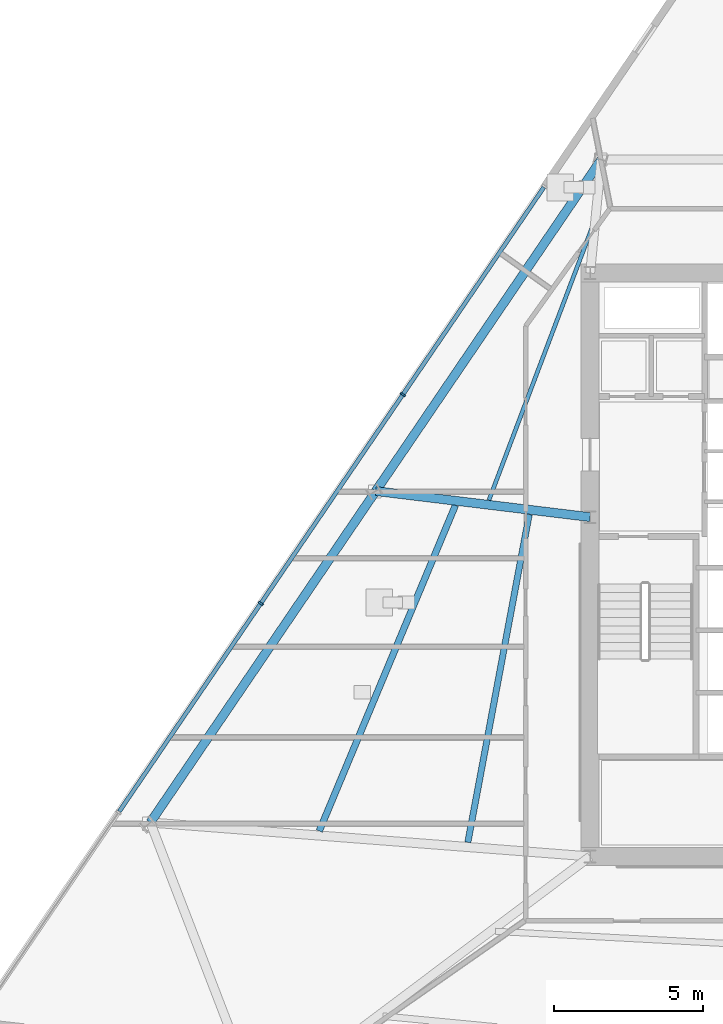
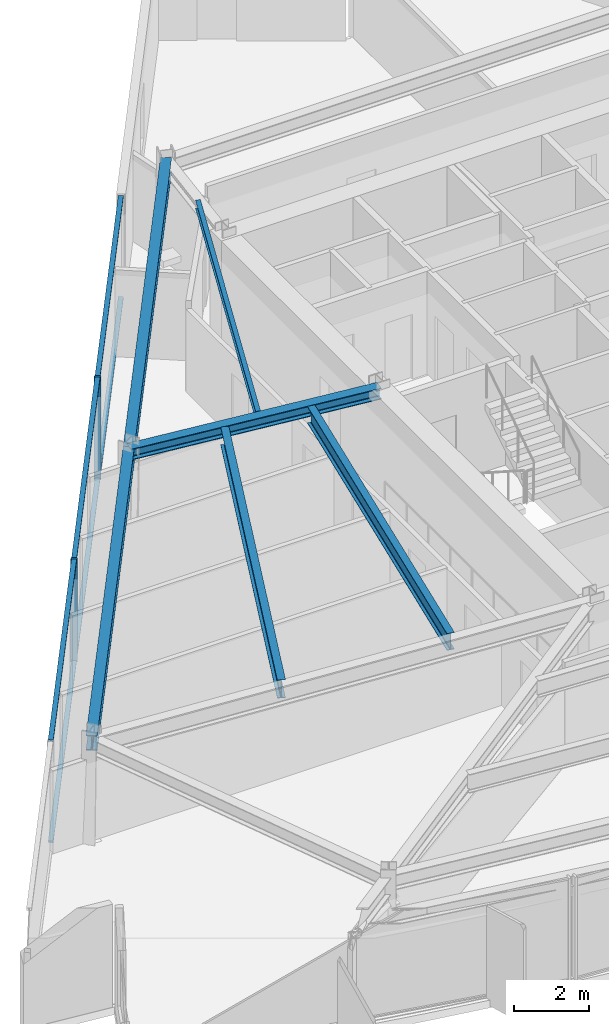
# One storey, part 3 of 15: 8 members, 6 beams, 1 element without a shape of its own.
"""IFC4 building model written with IfcOpenShell, lengths in metres."""

import ifcopenshell
import ifcopenshell.guid

model = None  # the IFC model being written
_history = None  # IfcOwnerHistory: only IFC2X3 demands one
_inside = {}  # id of a spatial element -> (the spatial element, [elements in it])
_under = {}  # id of a project, library or spatial element -> (it, [spatial elements below it])
_declared = {}  # id of a project -> (the project, [libraries it declares])
_typed = {}  # id of a type object -> (the type object, [elements of that type])
_made_of = {}  # id of a material, layer set ... -> (it, [elements and type objects made of it])


def new_model(schema):
    """Start an empty IFC model of exactly this schema.

    Asked for "IFC4X3", IfcOpenShell would pick the latest addendum, in which some entities
    have other attributes; the version numbers below select the first issue.
    IFC2X3 requires an IfcOwnerHistory on every rooted entity: one is made here for all.
    """
    global model, _history
    if schema == "IFC4X3":
        model = ifcopenshell.file(schema_version=(4, 3, 0, 0))
    else:
        model = ifcopenshell.file(schema=schema)
    _inside.clear()
    _under.clear()
    _declared.clear()
    _typed.clear()
    _made_of.clear()
    _history = None
    if model.schema == "IFC2X3":
        org = make("IfcOrganization", Name="unknown")
        user = make(
            "IfcPersonAndOrganization",
            ThePerson=make("IfcPerson", FamilyName="unknown"),
            TheOrganization=org,
        )
        app = make(
            "IfcApplication",
            ApplicationDeveloper=org,
            Version="unknown",
            ApplicationFullName="unknown",
            ApplicationIdentifier="unknown",
        )
        _history = make(
            "IfcOwnerHistory",
            OwningUser=user,
            OwningApplication=app,
            ChangeAction="ADDED",
            CreationDate=0,
        )
    return model


def make(cls, **values):
    """One entity of the class cls with the attributes given. An attribute that is None is left unset."""
    return model.create_entity(
        cls, **{name: value for name, value in values.items() if value is not None}
    )


def rooted(cls, **values):
    """An entity with a GlobalId (a new one), such as an element, a storey or a relation."""
    return make(cls, GlobalId=ifcopenshell.guid.new(), OwnerHistory=_history, **values)


def si_unit(unit_type, name, prefix=None):
    """IfcSIUnit, for example si_unit("LENGTHUNIT", "METRE", prefix="MILLI")."""
    return make("IfcSIUnit", UnitType=unit_type, Prefix=prefix, Name=name)


def assignment(units):
    """IfcUnitAssignment: the units of a project."""
    return None if units is None else make("IfcUnitAssignment", Units=units)


def point(xyz):
    """IfcCartesianPoint."""
    return None if xyz is None else make("IfcCartesianPoint", Coordinates=xyz)


def direction(xyz):
    """IfcDirection."""
    return None if xyz is None else make("IfcDirection", DirectionRatios=xyz)


def frame(location, z_axis=None, x_axis=None):
    """IfcAxis2Placement3D, a coordinate frame: its origin and axes. An axis left out is left unset."""
    return make(
        "IfcAxis2Placement3D",
        Location=point(location),
        Axis=direction(z_axis),
        RefDirection=direction(x_axis),
    )


def frame_2d(location, x_axis=None):
    """IfcAxis2Placement2D, a coordinate frame in the plane: its origin and x axis."""
    return make(
        "IfcAxis2Placement2D", Location=point(location), RefDirection=direction(x_axis)
    )


def origin():
    """The frame at (0, 0, 0) with its axes left unset."""
    return frame((0.0, 0.0, 0.0))


def origin_2d():
    """The frame at (0, 0) in the plane with its x axis left unset."""
    return frame_2d((0.0, 0.0))


def place(relative_to, where):
    """IfcLocalPlacement: puts the frame where relative to a parent placement (None: the world)."""
    return make(
        "IfcLocalPlacement", PlacementRelTo=relative_to, RelativePlacement=where
    )


def context(
    kind, dimensions, precision=None, world=None, true_north=None, identifier=None
):
    """IfcGeometricRepresentationContext, for example the 3D "Model" context."""
    return make(
        "IfcGeometricRepresentationContext",
        ContextIdentifier=identifier,
        ContextType=kind,
        CoordinateSpaceDimension=dimensions,
        Precision=precision,
        WorldCoordinateSystem=world,
        TrueNorth=true_north,
    )


def subcontext(parent, identifier, kind, view, scale=None):
    """IfcGeometricRepresentationSubContext, for example "Body" below "Model"."""
    return make(
        "IfcGeometricRepresentationSubContext",
        ContextIdentifier=identifier,
        ContextType=kind,
        ParentContext=parent,
        TargetScale=scale,
        TargetView=view,
    )


def project(units=None, contexts=None):
    """IfcProject with its units and contexts."""
    return rooted(
        "IfcProject",
        Name="project",
        RepresentationContexts=contexts,
        UnitsInContext=assignment(units),
    )


def spatial(cls, under=None, at=None, **own):
    """A site, building, storey or space (cls), placed at a placement, below another one or the project."""
    s = rooted(cls, ObjectPlacement=at, **own)
    if under is not None:
        _under.setdefault(under.id(), (under, []))[1].append(s)
    return s


def profile(cls, at=None, kind="AREA", **sizes):
    """A parametric profile (cls). Its sizes go by their IFC names, for example OverallWidth=200.0."""
    return make(cls, ProfileType=kind, Position=at, **sizes)


def rectangle(**sizes):
    """IfcRectangleProfileDef."""
    return profile("IfcRectangleProfileDef", **sizes)


def i_section(**sizes):
    """IfcIShapeProfileDef."""
    return profile("IfcIShapeProfileDef", **sizes)


def extrude(swept, where, along, depth):
    """IfcExtrudedAreaSolid: the profile swept, set in the frame where, extruded along a direction by depth."""
    return make(
        "IfcExtrudedAreaSolid",
        SweptArea=swept,
        Position=where,
        ExtrudedDirection=direction(along),
        Depth=depth,
    )


def shape(context_of_items, identifier, shape_type, items):
    """IfcShapeRepresentation: the items that make up one representation, for example the "Body"."""
    return make(
        "IfcShapeRepresentation",
        ContextOfItems=context_of_items,
        RepresentationIdentifier=identifier,
        RepresentationType=shape_type,
        Items=items,
    )


def material(Name=None, Category=None):
    """IfcMaterial."""
    return make("IfcMaterial", Name=Name, Category=Category)


def material_profile(
    of_material, cross_section, Name=None, Category=None, Priority=None
):
    """IfcMaterialProfile: a cross section and its material."""
    return make(
        "IfcMaterialProfile",
        Name=Name,
        Material=of_material,
        Profile=cross_section,
        Priority=Priority,
        Category=Category,
    )


def profile_set(profiles, Name=None, composite=None):
    """IfcMaterialProfileSet."""
    return make(
        "IfcMaterialProfileSet",
        Name=Name,
        MaterialProfiles=profiles,
        CompositeProfile=composite,
    )


def made_of(thing, what):
    """Note that an element or type object is made of a material, layer set ...; save() writes the relation."""
    if what is not None:
        _made_of.setdefault(what.id(), (what, []))[1].append(thing)
    return thing


def type_object(cls, material=None, **own):
    """A type object (cls), such as IfcWallType, which elements share."""
    return made_of(rooted(cls, **own), material)


def element(
    cls,
    number,
    at=None,
    inside=None,
    cuts=None,
    type_object=None,
    material=None,
    context=None,
    identifier="Body",
    shape_type=None,
    held_by="IfcProductDefinitionShape",
    body=None,
    shapes=None,
    **own,
):
    """One element of the class cls, such as IfcWall. Its Tag is "e" and its number.

    at: its placement. inside: the storey or other place that contains it. cuts: it is an
    opening in that element (IfcRelVoidsElement). A single representation is given by context,
    identifier, shape_type and body (its items); several are given by shapes. held_by: the class
    of the entity that holds the representations. save() writes the other relations.
    """
    e = rooted(cls, Tag="e%d" % number, ObjectPlacement=at, **own)
    if body is not None:
        shapes = [shape(context, identifier, shape_type, body)]
    if shapes is not None:
        e.Representation = make(held_by, Representations=shapes)
    if inside is not None:
        _inside.setdefault(inside.id(), (inside, []))[1].append(e)
    if cuts is not None:
        rooted(
            "IfcRelVoidsElement", RelatingBuildingElement=cuts, RelatedOpeningElement=e
        )
    if type_object is not None:
        _typed.setdefault(type_object.id(), (type_object, []))[1].append(e)
    return made_of(e, material)


def aggregate(whole, parts):
    """IfcRelAggregates: a whole, such as a stair, and the parts it consists of."""
    return rooted("IfcRelAggregates", RelatingObject=whole, RelatedObjects=parts)


def save(model, path):
    """Write the relations noted so far, then the file.

    IfcRelAggregates (storeys below a building ...), IfcRelContainedInSpatialStructure (elements
    in a storey), IfcRelDefinesByType, IfcRelAssociatesMaterial and IfcRelDeclares: one each for
    every whole, place, type object, material and project.
    """
    for whole, parts in _under.values():
        aggregate(whole, parts)
    for where, things in _inside.values():
        rooted(
            "IfcRelContainedInSpatialStructure",
            RelatedElements=things,
            RelatingStructure=where,
        )
    for kind, things in _typed.values():
        rooted("IfcRelDefinesByType", RelatedObjects=things, RelatingType=kind)
    for what, things in _made_of.values():
        rooted("IfcRelAssociatesMaterial", RelatedObjects=things, RelatingMaterial=what)
    for by, libraries in _declared.values():
        rooted("IfcRelDeclares", RelatingContext=by, RelatedDefinitions=libraries)
    model.write(path)


model = new_model("IFC4")

# Units and contexts
model_context = context("Model", 3, precision=1e-05, world=origin(), true_north=direction((0.0, 1.0)))
body_context = subcontext(model_context, "Body", "Model", "MODEL_VIEW")
ifc_project = project(units=[si_unit("LENGTHUNIT", "METRE"), si_unit("AREAUNIT", "SQUARE_METRE"), si_unit("VOLUMEUNIT", "CUBIC_METRE"), si_unit("PLANEANGLEUNIT", "RADIAN"), si_unit("MASSUNIT", "GRAM", prefix="KILO")], contexts=[model_context])

# Site, building, storey
site_placement = place(None, origin())
site = spatial("IfcSite", under=ifc_project, at=site_placement, CompositionType="ELEMENT")
building_placement = place(site_placement, origin())
building = spatial("IfcBuilding", under=site, at=building_placement, Name="Savorim Split Tower", CompositionType="ELEMENT")
storey_placement = place(building_placement, frame((0.0, 0.0, 100.5)))
storey = spatial("IfcBuildingStorey", under=building, at=storey_placement, Name="L26", CompositionType="ELEMENT", Elevation=100.5)

# Beams
ifc_material_1 = material(Name="Steel S355", Category="steel")
ifc_material_profile_1 = material_profile(ifc_material_1, i_section(OverallWidth=0.135009765625, OverallDepth=0.27001953125, WebThickness=0.006591796875, FlangeThickness=0.01025390625, FilletRadius=0.014892578125, at=origin_2d()), Name="IPE 270")
ifc_profile_set_1 = profile_set([ifc_material_profile_1], Name="Steel S355")
beam_type_1 = type_object("IfcBeamType", Name="BM-JST-IPE270", PredefinedType="JOIST", material=ifc_profile_set_1)
beam_1_placement = place(storey_placement, frame((-7.57763671875, 11.87890625, 3.215087890625), z_axis=(-0.353914713238, -0.935277699805, 0.0), x_axis=(0.935277699805, -0.353914713238, 0.0)))
element("IfcBeam", 1, at=beam_1_placement, inside=storey, type_object=beam_type_1, Name="L26 Secondary Floor Joist JS-09", PredefinedType="JOIST", context=body_context, shape_type="SweptSolid", body=[
    extrude(i_section(OverallWidth=0.135009765625, OverallDepth=0.27001953125, WebThickness=0.006591796875, FlangeThickness=0.01025390625, FilletRadius=0.014892578125, at=origin_2d()), origin(), (0.0, 0.0, 1.0), 9.95361328125),
])
ifc_material_profile_2 = material_profile(ifc_material_1, i_section(OverallWidth=0.2099609375, OverallDepth=0.550048828125, WebThickness=0.010986328125, FlangeThickness=0.01708984375, FilletRadius=0.02392578125, at=origin_2d()), Name="IPE 550")
ifc_profile_set_2 = profile_set([ifc_material_profile_2], Name="Steel S355")
beam_type_2 = type_object("IfcBeamType", Name="BM-JST-IPE550", PredefinedType="JOIST", material=ifc_profile_set_2)
beam_2_placement = place(storey_placement, frame((-9.74609375, 2.087646484375, 3.074951171875), z_axis=(-0.184043787305, -0.982918045594, 0.0), x_axis=(0.982918045594, -0.184043787305, 0.0)))
element("IfcBeam", 2, at=beam_2_placement, inside=storey, type_object=beam_type_2, Name="L26 Secondary Floor Joist JS-11", PredefinedType="JOIST", context=body_context, shape_type="SweptSolid", body=[
    extrude(i_section(OverallWidth=0.2099609375, OverallDepth=0.550048828125, WebThickness=0.010986328125, FlangeThickness=0.01708984375, FilletRadius=0.02392578125, at=origin_2d()), origin(), (0.0, 0.0, 1.0), 11.20263671875),
])
ifc_material_profile_3 = material_profile(ifc_material_1, i_section(OverallWidth=0.219970703125, OverallDepth=0.60009765625, WebThickness=0.011962890625, FlangeThickness=0.01904296875, FilletRadius=0.02392578125, at=origin_2d()), Name="IPE 600")
ifc_profile_set_3 = profile_set([ifc_material_profile_3], Name="Steel S355")
beam_type_3 = type_object("IfcBeamType", Name="BM-JST-IPE600", PredefinedType="JOIST", material=ifc_profile_set_3)
beam_3_placement = place(storey_placement, frame((-12.226806640625, 2.394775390625, 3.050048828125), z_axis=(-0.385656051372, -0.922642623143, 0.0), x_axis=(0.922642623143, -0.385656051372, 0.0)))
element("IfcBeam", 3, at=beam_3_placement, inside=storey, type_object=beam_type_3, Name="L26 Secondary Floor Joist JS-10", PredefinedType="JOIST", context=body_context, shape_type="SweptSolid", body=[
    extrude(i_section(OverallWidth=0.219970703125, OverallDepth=0.60009765625, WebThickness=0.011962890625, FlangeThickness=0.01904296875, FilletRadius=0.02392578125, at=origin_2d()), origin(), (0.0, 0.0, 1.0), 11.857666015625),
])
ifc_material_profile_4 = material_profile(ifc_material_1, i_section(OverallWidth=0.300048828125, OverallDepth=0.360107421875, WebThickness=0.012451171875, FlangeThickness=0.0224609375, FilletRadius=0.027099609375, at=origin_2d()), Name="HEB 360")
ifc_profile_set_4 = profile_set([ifc_material_profile_4], Name="Steel S355")
beam_type_4 = type_object("IfcBeamType", Name="BM-PRI-HEB360", PredefinedType="BEAM", material=ifc_profile_set_4)
beam_4_placement = place(storey_placement, frame((-14.90185546875, 2.874755859375, 3.169921875), z_axis=(0.992704150304, -0.120575577834, 0.0), x_axis=(0.120575577834, 0.992704150304, 0.0)))
element("IfcBeam", 4, at=beam_4_placement, inside=storey, type_object=beam_type_4, Name="L26 Primary Floor Girder RG-09", PredefinedType="BEAM", context=body_context, shape_type="SweptSolid", body=[
    extrude(i_section(OverallWidth=0.300048828125, OverallDepth=0.360107421875, WebThickness=0.012451171875, FlangeThickness=0.0224609375, FilletRadius=0.027099609375, at=origin_2d()), origin(), (0.0, 0.0, 1.0), 7.2548828125),
])
ifc_material_profile_5 = material_profile(ifc_material_1, i_section(OverallWidth=0.300048828125, OverallDepth=0.489990234375, WebThickness=0.011962890625, FlangeThickness=0.02294921875, FilletRadius=0.027099609375, at=origin_2d()), Name="HEA 500")
ifc_profile_set_5 = profile_set([ifc_material_profile_5], Name="Steel S355")
beam_type_5 = type_object("IfcBeamType", Name="BM-SPN-HEA500", PredefinedType="SPANDREL", material=ifc_profile_set_5)
for number, where, z_axis, x_axis, name in (
    (5, (-7.3271484375, 14.009521484375, 3.10498046875), (-0.562465713273, -0.826820610164, 0.0), (0.826820610164, -0.562465713273, 0.0), "L26 Perimeter Spandrel Beam 8"),
    (6, (-14.90185546875, 2.874755859375, 3.10498046875), (-0.562465713273, -0.826820610164, 0.0), (0.826820610164, -0.562465713273, 0.0), "L26 Perimeter Spandrel Beam 9"),
):
    element("IfcBeam", number, at=place(storey_placement, frame(where, z_axis=z_axis, x_axis=x_axis)), inside=storey, type_object=beam_type_5, Name=name, PredefinedType="SPANDREL", context=body_context, shape_type="SweptSolid", body=[
        extrude(i_section(OverallWidth=0.300048828125, OverallDepth=0.489990234375, WebThickness=0.011962890625, FlangeThickness=0.02294921875, FilletRadius=0.027099609375, at=origin_2d()), origin(), (0.0, 0.0, 1.0), 13.467041015625),
    ])

# Curtain wall, members
ifc_material_2 = material(Name="Dark Ceramic-Fritted Insulated Glass", Category="glass")
curtain_wall_type = type_object("IfcCurtainWallType", Name="CW-TWR-FRIT-A", PredefinedType="NOTDEFINED", material=ifc_material_2)
curtain_wall_placement = place(storey_placement, origin())
curtain_wall = element("IfcCurtainWall", 7, at=curtain_wall_placement, inside=storey, type_object=curtain_wall_type, Name="L26 Curtain Wall CW-L26-WEST", PredefinedType="NOTDEFINED")
ifc_material_3 = material(Name="Charcoal Anodised Aluminium", Category="aluminium")
ifc_material_profile_6 = material_profile(ifc_material_3, rectangle(XDim=0.179931640625, YDim=0.06494140625, at=origin_2d()), Name="ALU-M 180x65")
ifc_profile_set_6 = profile_set([ifc_material_profile_6], Name="Charcoal Anodised Aluminium")
member_type_1 = type_object("IfcMemberType", Name="CWM-180x65", PredefinedType="MULLION", material=ifc_profile_set_6)
member_1_placement = place(storey_placement, frame((-13.9912109375, 6.1181640625, 0.0), z_axis=(0.0, 0.0, 1.0), x_axis=(0.826819383915, -0.562467515846, 0.0)))
member_1 = element("IfcMember", 8, at=member_1_placement, type_object=member_type_1, Name="CW-02 mullion 2", PredefinedType="MULLION", context=body_context, shape_type="SweptSolid", body=[
    extrude(rectangle(XDim=0.179931640625, YDim=0.06494140625, at=origin_2d()), origin(), (0.0, 0.0, 1.0), 3.35009765625),
])
member_2_placement = place(storey_placement, frame((-18.76513671875, -0.899658203125, 0.0), z_axis=(0.0, 0.0, 1.0), x_axis=(0.826819383915, -0.562467515846, 0.0)))
member_2 = element("IfcMember", 9, at=member_2_placement, type_object=member_type_1, Name="CW-02 mullion 3", PredefinedType="MULLION", context=body_context, shape_type="SweptSolid", body=[
    extrude(rectangle(XDim=0.179931640625, YDim=0.06494140625, at=origin_2d()), origin(), (0.0, 0.0, 1.0), 3.35009765625),
])
ifc_material_profile_7 = material_profile(ifc_material_3, rectangle(XDim=0.139892578125, YDim=0.054931640625, at=origin_2d()), Name="ALU-T 140x55")
ifc_profile_set_7 = profile_set([ifc_material_profile_7], Name="Charcoal Anodised Aluminium")
member_type_2 = type_object("IfcMemberType", Name="CWT-140x55", PredefinedType="USERDEFINED", material=ifc_profile_set_7)
member_3_placement = place(storey_placement, frame((-9.253662109375, 13.082275390625, 0.027587890625), z_axis=(-0.562465211689, -0.826820951379, 0.0), x_axis=(0.826820951379, -0.562465211689, 0.0)))
member_3 = element("IfcMember", 10, at=member_3_placement, type_object=member_type_2, Name="CW-02 transom 1.1", ObjectType="TRANSOM", PredefinedType="USERDEFINED", context=body_context, shape_type="SweptSolid", body=[
    extrude(rectangle(XDim=0.139892578125, YDim=0.054931640625, at=origin_2d()), origin(), (0.0, 0.0, 1.0), 8.390380859375),
])
member_4_placement = place(storey_placement, frame((-9.253662109375, 13.082275390625, 3.322509765625), z_axis=(-0.562465211689, -0.826820951379, 0.0), x_axis=(0.826820951379, -0.562465211689, 0.0)))
member_4 = element("IfcMember", 11, at=member_4_placement, type_object=member_type_2, Name="CW-02 transom 1.2", ObjectType="TRANSOM", PredefinedType="USERDEFINED", context=body_context, shape_type="SweptSolid", body=[
    extrude(rectangle(XDim=0.139892578125, YDim=0.054931640625, at=origin_2d()), origin(), (0.0, 0.0, 1.0), 8.390380859375),
])
member_5_placement = place(storey_placement, frame((-14.009521484375, 6.09130859375, 0.027587890625), z_axis=(-0.562468576469, -0.826818662395, 0.0), x_axis=(0.826818662395, -0.562468576469, 0.0)))
member_5 = element("IfcMember", 12, at=member_5_placement, type_object=member_type_2, Name="CW-02 transom 2.1", ObjectType="TRANSOM", PredefinedType="USERDEFINED", context=body_context, shape_type="SweptSolid", body=[
    extrude(rectangle(XDim=0.139892578125, YDim=0.054931640625, at=origin_2d()), origin(), (0.0, 0.0, 1.0), 8.4228515625),
])
member_6_placement = place(storey_placement, frame((-14.009521484375, 6.09130859375, 3.322509765625), z_axis=(-0.562468576469, -0.826818662395, 0.0), x_axis=(0.826818662395, -0.562468576469, 0.0)))
member_6 = element("IfcMember", 13, at=member_6_placement, type_object=member_type_2, Name="CW-02 transom 2.2", ObjectType="TRANSOM", PredefinedType="USERDEFINED", context=body_context, shape_type="SweptSolid", body=[
    extrude(rectangle(XDim=0.139892578125, YDim=0.054931640625, at=origin_2d()), origin(), (0.0, 0.0, 1.0), 8.4228515625),
])
member_7_placement = place(storey_placement, frame((-18.783447265625, -0.926513671875, 0.027587890625), z_axis=(-0.562482056819, -0.826809491816, 0.0), x_axis=(0.826809491816, -0.562482056819, 0.0)))
member_7 = element("IfcMember", 14, at=member_7_placement, type_object=member_type_2, Name="CW-02 transom 3.1", ObjectType="TRANSOM", PredefinedType="USERDEFINED", context=body_context, shape_type="SweptSolid", body=[
    extrude(rectangle(XDim=0.139892578125, YDim=0.054931640625, at=origin_2d()), origin(), (0.0, 0.0, 1.0), 8.422607421875),
])
member_8_placement = place(storey_placement, frame((-18.783447265625, -0.926513671875, 3.322509765625), z_axis=(-0.562482056819, -0.826809491816, 0.0), x_axis=(0.826809491816, -0.562482056819, 0.0)))
member_8 = element("IfcMember", 15, at=member_8_placement, type_object=member_type_2, Name="CW-02 transom 3.2", ObjectType="TRANSOM", PredefinedType="USERDEFINED", context=body_context, shape_type="SweptSolid", body=[
    extrude(rectangle(XDim=0.139892578125, YDim=0.054931640625, at=origin_2d()), origin(), (0.0, 0.0, 1.0), 8.422607421875),
])
aggregate(curtain_wall, [member_1, member_2, member_3, member_4, member_5, member_6, member_7, member_8])

save(model, "model.ifc")
